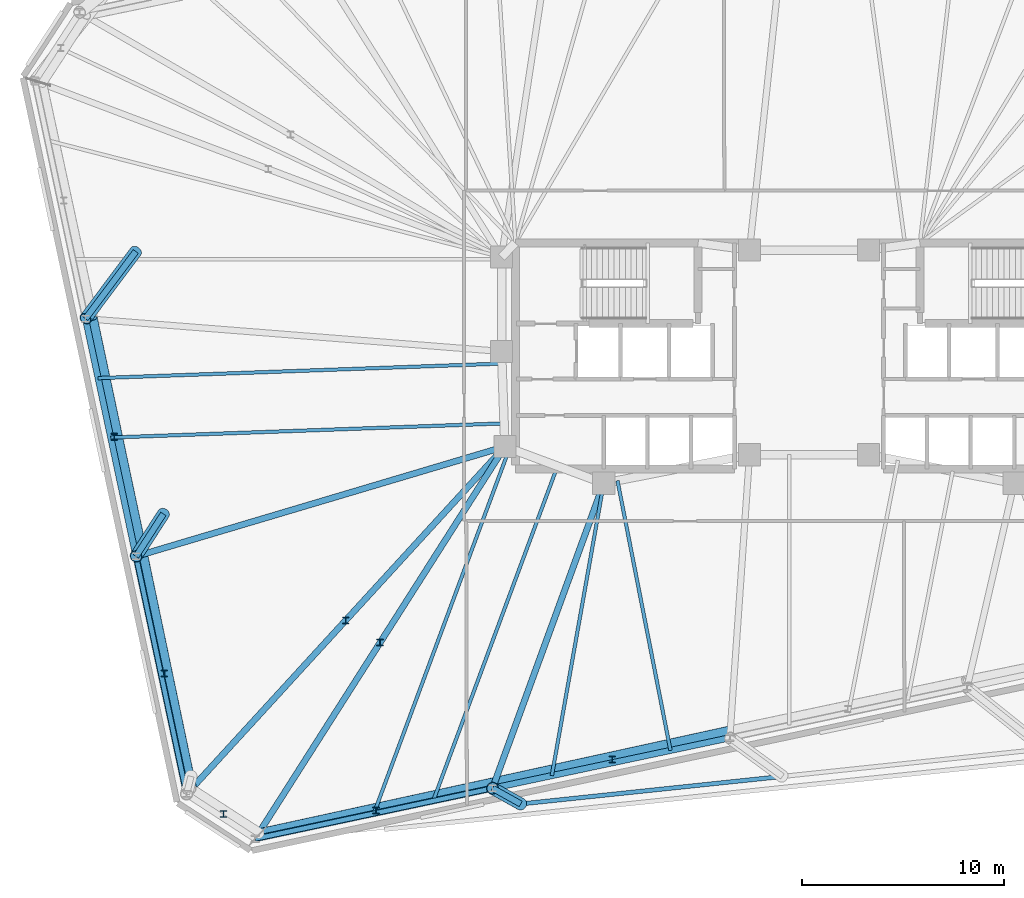
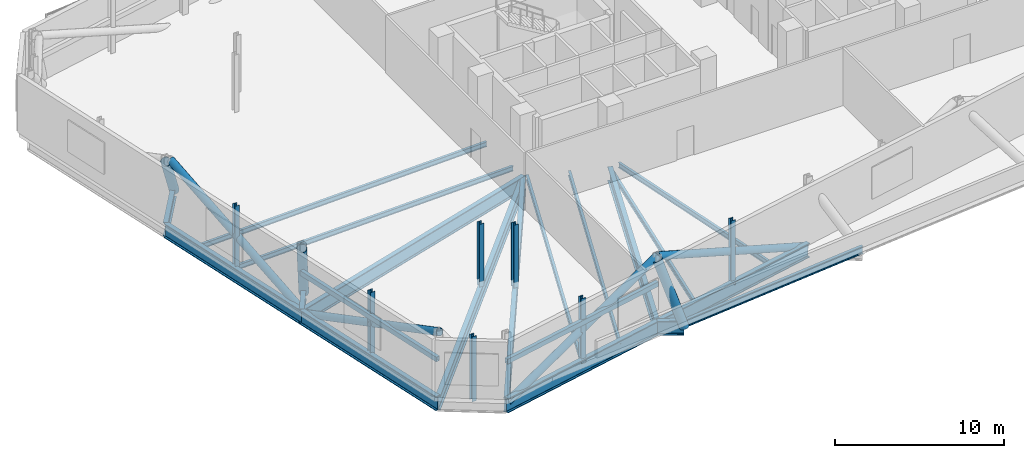
# One storey, part 6 of 19: 18 beams, 16 members.
"""IFC4 building model written with IfcOpenShell, lengths in metres."""

from ifc_helpers import new_model, si_unit, direction, frame, origin, origin_2d, place, context, subcontext, project, spatial, hollow_rectangle, hollow_circle, i_section, extrude, material, material_profile, profile_set, type_object, element, save


model = new_model("IFC4")

# Units and contexts
model_context = context("Model", 3, precision=1e-05, world=origin(), true_north=direction((0.0, 1.0)))
body_context = subcontext(model_context, "Body", "Model", "MODEL_VIEW")
ifc_project = project(units=[si_unit("LENGTHUNIT", "METRE"), si_unit("AREAUNIT", "SQUARE_METRE"), si_unit("VOLUMEUNIT", "CUBIC_METRE"), si_unit("PLANEANGLEUNIT", "RADIAN"), si_unit("MASSUNIT", "GRAM", prefix="KILO")], contexts=[model_context])

# Site, building, storey
site_placement = place(None, origin())
site = spatial("IfcSite", under=ifc_project, at=site_placement, CompositionType="ELEMENT")
building_placement = place(site_placement, origin())
building = spatial("IfcBuilding", under=site, at=building_placement, Name="Menara Jurai Vektor", CompositionType="ELEMENT")
storey_placement = place(building_placement, frame((0.0, 0.0, 142.89990234375)))
storey = spatial("IfcBuildingStorey", under=building, at=storey_placement, Name="L36", CompositionType="ELEMENT", Elevation=142.89990234375)

# Beams
ifc_material_1 = material(Name="Steel S355", Category="steel")
ifc_material_profile_1 = material_profile(ifc_material_1, i_section(OverallWidth=0.2109375, OverallDepth=0.5390625, WebThickness=0.011962890625, FlangeThickness=0.01904296875, FilletRadius=0.012939453125, at=origin_2d()), Name="UKB 533x210x109")
ifc_profile_set_1 = profile_set([ifc_material_profile_1], Name="Steel S355")
beam_type_1 = type_object("IfcBeamType", Name="STR-BM-533", PredefinedType="BEAM", material=ifc_profile_set_1)
beam_1_placement = place(storey_placement, frame((-14.296630859375, -22.221923828125, -0.67431640625), z_axis=(0.994523580592, 0.104512428191, 0.0), x_axis=(-0.104512428191, 0.994523580592, 0.0)))
element("IfcBeam", 1, at=beam_1_placement, inside=storey, type_object=beam_type_1, Name="Step Terrace Edge Beam L36-02", PredefinedType="BEAM", context=body_context, shape_type="SweptSolid", body=[
    extrude(i_section(OverallWidth=0.2109375, OverallDepth=0.5390625, WebThickness=0.011962890625, FlangeThickness=0.01904296875, FilletRadius=0.012939453125, at=origin_2d()), origin(), (0.0, 0.0, 1.0), 13.05126953125),
])
ifc_material_2 = material(Name="Steel S460", Category="steel")
ifc_material_profile_2 = material_profile(ifc_material_2, i_section(OverallWidth=0.30908203125, OverallDepth=1.035888671875, WebThickness=0.030029296875, FlangeThickness=0.053955078125, FilletRadius=0.030029296875, at=origin_2d()), Name="UKB 1016x305x487")
ifc_profile_set_2 = profile_set([ifc_material_profile_2], Name="Steel S460")
beam_type_2 = type_object("IfcBeamType", Name="STR-BM-TR1016", PredefinedType="BEAM", material=ifc_profile_set_2)
beam_2_placement = place(storey_placement, frame((-27.46484375, -23.94580078125, -0.9228515625), z_axis=(0.978147039247, 0.207914332389, 0.0), x_axis=(-0.207914332389, 0.978147039247, 0.0)))
element("IfcBeam", 2, at=beam_2_placement, inside=storey, type_object=beam_type_2, Name="Belt Truss Bottom Chord L36-01", PredefinedType="BEAM", context=body_context, shape_type="SweptSolid", body=[
    extrude(i_section(OverallWidth=0.30908203125, OverallDepth=1.035888671875, WebThickness=0.030029296875, FlangeThickness=0.053955078125, FilletRadius=0.030029296875, at=origin_2d()), origin(), (0.0, 0.0, 1.0), 12.03125),
])
beam_3_placement = place(storey_placement, frame((-27.46484375, -23.94580078125, -0.9228515625), z_axis=(0.537189280991, 0.843461721946, 0.0), x_axis=(-0.843461721946, 0.537189280991, 0.0)))
element("IfcBeam", 3, at=beam_3_placement, inside=storey, type_object=beam_type_2, Name="Outrigger Transfer Girder L36-S1", PredefinedType="BEAM", context=body_context, shape_type="SweptSolid", body=[
    extrude(i_section(OverallWidth=0.30908203125, OverallDepth=1.035888671875, WebThickness=0.030029296875, FlangeThickness=0.053955078125, FilletRadius=0.030029296875, at=origin_2d()), origin(), (0.0, 0.0, 1.0), 23.0546875),
])
beam_4_placement = place(storey_placement, frame((-15.696533203125, -21.4443359375, -0.9228515625), z_axis=(0.97814616202, 0.207918459318, 0.0), x_axis=(-0.207918459318, 0.97814616202, 0.0)))
element("IfcBeam", 4, at=beam_4_placement, inside=storey, type_object=beam_type_2, Name="Belt Truss Bottom Chord L36-02", PredefinedType="BEAM", context=body_context, shape_type="SweptSolid", body=[
    extrude(i_section(OverallWidth=0.30908203125, OverallDepth=1.035888671875, WebThickness=0.030029296875, FlangeThickness=0.053955078125, FilletRadius=0.030029296875, at=origin_2d()), origin(), (0.0, 0.0, 1.0), 12.031005859375),
])
beam_5_placement = place(storey_placement, frame((-14.296630859375, -22.221923828125, -0.9228515625), z_axis=(-0.874193230762, 0.485578207181, 0.0), x_axis=(-0.485578207181, -0.874193230762, 0.0)))
element("IfcBeam", 5, at=beam_5_placement, inside=storey, type_object=beam_type_2, Name="Cantilever Transfer Girder L36-S2", PredefinedType="BEAM", context=body_context, shape_type="SweptSolid", body=[
    extrude(i_section(OverallWidth=0.30908203125, OverallDepth=1.035888671875, WebThickness=0.030029296875, FlangeThickness=0.053955078125, FilletRadius=0.030029296875, at=origin_2d()), origin(), (0.0, 0.0, 1.0), 1.601318359375),
])
beam_6_placement = place(storey_placement, frame((-15.696533203125, -21.4443359375, -0.9228515625), z_axis=(0.342668294367, 0.939456459893, 0.0), x_axis=(-0.939456459893, 0.342668294367, 0.0)))
element("IfcBeam", 6, at=beam_6_placement, inside=storey, type_object=beam_type_2, Name="Outrigger Transfer Girder L36-S2", PredefinedType="BEAM", context=body_context, shape_type="SweptSolid", body=[
    extrude(i_section(OverallWidth=0.30908203125, OverallDepth=1.035888671875, WebThickness=0.030029296875, FlangeThickness=0.053955078125, FilletRadius=0.030029296875, at=origin_2d()), origin(), (0.0, 0.0, 1.0), 16.098876953125),
])
beam_7_placement = place(storey_placement, frame((-35.8828125, 1.843505859375, -0.9228515625), z_axis=(0.207906000604, -0.978148810209, 0.0), x_axis=(0.978148810209, 0.207906000604, 0.0)))
element("IfcBeam", 7, at=beam_7_placement, inside=storey, type_object=beam_type_2, Name="Belt Truss Bottom Chord L36-18", PredefinedType="BEAM", context=body_context, shape_type="SweptSolid", body=[
    extrude(i_section(OverallWidth=0.30908203125, OverallDepth=1.035888671875, WebThickness=0.030029296875, FlangeThickness=0.053955078125, FilletRadius=0.030029296875, at=origin_2d()), origin(), (0.0, 0.0, 1.0), 12.0517578125),
])
beam_8_placement = place(storey_placement, frame((-33.38818359375, 5.175048828125, -0.9228515625), z_axis=(-0.59938037829, -0.800464341568, 0.0), x_axis=(0.800464341568, -0.59938037829, 0.0)))
element("IfcBeam", 8, at=beam_8_placement, inside=storey, type_object=beam_type_2, Name="Cantilever Transfer Girder L36-W2", PredefinedType="BEAM", context=body_context, shape_type="SweptSolid", body=[
    extrude(i_section(OverallWidth=0.30908203125, OverallDepth=1.035888671875, WebThickness=0.030029296875, FlangeThickness=0.053955078125, FilletRadius=0.030029296875, at=origin_2d()), origin(), (0.0, 0.0, 1.0), 4.162109375),
])
beam_9_placement = place(storey_placement, frame((-33.377197265625, -9.94482421875, -0.9228515625), z_axis=(0.207921262698, -0.978145566119, 0.0), x_axis=(0.978145566119, 0.207921262698, 0.0)))
element("IfcBeam", 9, at=beam_9_placement, inside=storey, type_object=beam_type_2, Name="Belt Truss Bottom Chord L36-19", PredefinedType="BEAM", context=body_context, shape_type="SweptSolid", body=[
    extrude(i_section(OverallWidth=0.30908203125, OverallDepth=1.035888671875, WebThickness=0.030029296875, FlangeThickness=0.053955078125, FilletRadius=0.030029296875, at=origin_2d()), origin(), (0.0, 0.0, 1.0), 12.052001953125),
])
beam_10_placement = place(storey_placement, frame((-32.0205078125, -7.83837890625, -0.9228515625), z_axis=(-0.541476412601, -0.840715941681, 0.0), x_axis=(0.840715941681, -0.541476412601, 0.0)))
element("IfcBeam", 10, at=beam_10_placement, inside=storey, type_object=beam_type_2, Name="Cantilever Transfer Girder L36-W3", PredefinedType="BEAM", context=body_context, shape_type="SweptSolid", body=[
    extrude(i_section(OverallWidth=0.30908203125, OverallDepth=1.035888671875, WebThickness=0.030029296875, FlangeThickness=0.053955078125, FilletRadius=0.030029296875, at=origin_2d()), origin(), (0.0, 0.0, 1.0), 2.505615234375),
])
beam_11_placement = place(storey_placement, frame((-33.377197265625, -9.94482421875, -0.9228515625), z_axis=(0.958462775407, 0.285217650505, 0.0), x_axis=(-0.285217650505, 0.958462775407, 0.0)))
element("IfcBeam", 11, at=beam_11_placement, inside=storey, type_object=beam_type_2, Name="Outrigger Transfer Girder L36-W3", PredefinedType="BEAM", context=body_context, shape_type="SweptSolid", body=[
    extrude(i_section(OverallWidth=0.30908203125, OverallDepth=1.035888671875, WebThickness=0.030029296875, FlangeThickness=0.053955078125, FilletRadius=0.030029296875, at=origin_2d()), origin(), (0.0, 0.0, 1.0), 19.090087890625),
])
beam_12_placement = place(storey_placement, frame((-30.871337890625, -21.7333984375, -0.9228515625), z_axis=(0.675584615662, 0.737282460852, 0.0), x_axis=(-0.737282460852, 0.675584615662, 0.0)))
element("IfcBeam", 12, at=beam_12_placement, inside=storey, type_object=beam_type_2, Name="Outrigger Transfer Girder L36-W4", PredefinedType="BEAM", context=body_context, shape_type="SweptSolid", body=[
    extrude(i_section(OverallWidth=0.30908203125, OverallDepth=1.035888671875, WebThickness=0.030029296875, FlangeThickness=0.053955078125, FilletRadius=0.030029296875, at=origin_2d()), origin(), (0.0, 0.0, 1.0), 23.374267578125),
])

# Members
ifc_material_profile_3 = material_profile(ifc_material_2, hollow_circle(Radius=0.25390625, WallThickness=0.02001953125, at=origin_2d()), Name="CHS 508x20")
ifc_profile_set_3 = profile_set([ifc_material_profile_3], Name="Steel S460")
member_type_1 = type_object("IfcMemberType", Name="STR-BR-508", PredefinedType="BRACE", material=ifc_profile_set_3)
member_1_placement = place(storey_placement, frame((-27.232421875, -23.697509765625, -0.9228515625), z_axis=(0.903857161303, 0.197105745735, 0.379725633793), x_axis=(-0.21306445377, 0.977038145898, 0.0)))
element("IfcMember", 13, at=member_1_placement, inside=storey, type_object=member_type_1, Name="Belt Truss Web Diagonal L36-01", PredefinedType="BRACE", context=body_context, shape_type="SweptSolid", body=[
    extrude(hollow_circle(Radius=0.25390625, WallThickness=0.02001953125, at=origin_2d()), origin(), (0.0, 0.0, 1.0), 12.943603515625),
])
member_2_placement = place(storey_placement, frame((-3.904541015625, -18.603759765625, -0.9228515625), z_axis=(-0.902973818169, -0.197425402415, 0.381656251336), x_axis=(0.213593504535, -0.976922624787, 0.0)))
element("IfcMember", 14, at=member_2_placement, inside=storey, type_object=member_type_1, Name="Belt Truss Web Diagonal L36-02", PredefinedType="BRACE", context=body_context, shape_type="SweptSolid", body=[
    extrude(hollow_circle(Radius=0.25390625, WallThickness=0.02001953125, at=origin_2d()), origin(), (0.0, 0.0, 1.0), 12.878173828125),
])
member_3_placement = place(storey_placement, frame((-33.062744140625, -9.815673828125, -0.9228515625), z_axis=(-0.192228854255, 0.904397117625, 0.380938211818), x_axis=(-0.978149071632, -0.207904770665, 0.0)))
element("IfcMember", 15, at=member_3_placement, inside=storey, type_object=member_type_1, Name="Belt Truss Web Diagonal L36-18", PredefinedType="BRACE", context=body_context, shape_type="SweptSolid", body=[
    extrude(hollow_circle(Radius=0.25390625, WallThickness=0.02001953125, at=origin_2d()), origin(), (0.0, 0.0, 1.0), 12.90234375),
])
member_4_placement = place(storey_placement, frame((-33.062744140625, -9.815673828125, -0.9228515625), z_axis=(0.189537513499, -0.905192315987, 0.380397689339), x_axis=(0.978773567693, 0.204944634441, 0.0)))
element("IfcMember", 16, at=member_4_placement, inside=storey, type_object=member_type_1, Name="Belt Truss Web Diagonal L36-19", PredefinedType="BRACE", context=body_context, shape_type="SweptSolid", body=[
    extrude(hollow_circle(Radius=0.25390625, WallThickness=0.02001953125, at=origin_2d()), origin(), (0.0, 0.0, 1.0), 12.9208984375),
])
ifc_material_profile_4 = material_profile(ifc_material_2, hollow_rectangle(XDim=0.25, YDim=0.35009765625, WallThickness=0.012451171875, at=origin_2d()), Name="RHS 350x250x12.5")
ifc_profile_set_4 = profile_set([ifc_material_profile_4], Name="Steel S460")
member_type_2 = type_object("IfcMemberType", Name="STR-CH-RHS350", PredefinedType="CHORD", material=ifc_profile_set_4)
member_5_placement = place(storey_placement, frame((-27.46484375, -23.94580078125, 2.255126953125), z_axis=(0.978147039247, 0.207914332389, 0.0), x_axis=(-0.207914332389, 0.978147039247, 0.0)))
element("IfcMember", 17, at=member_5_placement, inside=storey, type_object=member_type_2, Name="Belt Truss Mid Chord L36-01", PredefinedType="CHORD", context=body_context, shape_type="SweptSolid", body=[
    extrude(hollow_rectangle(XDim=0.25, YDim=0.35009765625, WallThickness=0.012451171875, at=origin_2d()), origin(), (0.0, 0.0, 1.0), 12.03125),
])
member_6_placement = place(storey_placement, frame((-33.377197265625, -9.945068359375, 2.255126953125), z_axis=(0.207925382659, -0.978144690343, 0.0), x_axis=(0.978144690343, 0.207925382659, 0.0)))
element("IfcMember", 18, at=member_6_placement, inside=storey, type_object=member_type_2, Name="Belt Truss Mid Chord L36-19", PredefinedType="CHORD", context=body_context, shape_type="SweptSolid", body=[
    extrude(hollow_rectangle(XDim=0.25, YDim=0.35009765625, WallThickness=0.012451171875, at=origin_2d()), origin(), (0.0, 0.0, 1.0), 12.0517578125),
])

# Beams
ifc_material_profile_5 = material_profile(ifc_material_1, i_section(OverallWidth=0.172119140625, OverallDepth=0.35498046875, WebThickness=0.007080078125, FlangeThickness=0.011962890625, FilletRadius=0.010009765625, at=origin_2d()), Name="UKB 356x171x51")
ifc_profile_set_5 = profile_set([ifc_material_profile_5], Name="Steel S355")
beam_type_3 = type_object("IfcBeamType", Name="STR-JS-356", PredefinedType="JOIST", material=ifc_profile_set_5)
beam_13_placement = place(storey_placement, frame((-21.580810546875, -22.695068359375, -0.58251953125), z_axis=(0.348190019635, 0.937423975705, 0.0), x_axis=(-0.937423975705, 0.348190019635, 0.0)))
element("IfcBeam", 19, at=beam_13_placement, inside=storey, type_object=beam_type_3, Name="Radial Secondary Floor Joist L36-JS01", PredefinedType="JOIST", context=body_context, shape_type="SweptSolid", body=[
    extrude(i_section(OverallWidth=0.172119140625, OverallDepth=0.35498046875, WebThickness=0.007080078125, FlangeThickness=0.011962890625, FilletRadius=0.010009765625, at=origin_2d()), origin(), (0.0, 0.0, 1.0), 19.320068359375),
])
beam_14_placement = place(storey_placement, frame((-18.638671875, -22.069580078125, -0.58251953125), z_axis=(0.348193798412, 0.937422572135, 0.0), x_axis=(-0.937422572135, 0.348193798412, 0.0)))
element("IfcBeam", 20, at=beam_14_placement, inside=storey, type_object=beam_type_3, Name="Radial Secondary Floor Joist L36-JS02", PredefinedType="JOIST", context=body_context, shape_type="SweptSolid", body=[
    extrude(i_section(OverallWidth=0.172119140625, OverallDepth=0.35498046875, WebThickness=0.007080078125, FlangeThickness=0.011962890625, FilletRadius=0.010009765625, at=origin_2d()), origin(), (0.0, 0.0, 1.0), 17.709228515625),
])
beam_15_placement = place(storey_placement, frame((-12.75439453125, -20.819091796875, -0.58251953125), z_axis=(0.174826548521, 0.984599247375, 0.0), x_axis=(-0.984599247375, 0.174826548521, 0.0)))
element("IfcBeam", 21, at=beam_15_placement, inside=storey, type_object=beam_type_3, Name="Radial Secondary Floor Joist L36-JS03", PredefinedType="JOIST", context=body_context, shape_type="SweptSolid", body=[
    extrude(i_section(OverallWidth=0.172119140625, OverallDepth=0.35498046875, WebThickness=0.007080078125, FlangeThickness=0.011962890625, FilletRadius=0.010009765625, at=origin_2d()), origin(), (0.0, 0.0, 1.0), 14.725830078125),
])
beam_16_placement = place(storey_placement, frame((-6.870361328125, -19.568359375, -0.58251953125), z_axis=(-0.19273083746, 0.981251662058, 0.0), x_axis=(-0.981251662058, -0.19273083746, 0.0)))
element("IfcBeam", 22, at=beam_16_placement, inside=storey, type_object=beam_type_3, Name="Radial Secondary Floor Joist L36-JS04", PredefinedType="JOIST", context=body_context, shape_type="SweptSolid", body=[
    extrude(i_section(OverallWidth=0.172119140625, OverallDepth=0.35498046875, WebThickness=0.007080078125, FlangeThickness=0.011962890625, FilletRadius=0.010009765625, at=origin_2d()), origin(), (0.0, 0.0, 1.0), 13.6376953125),
])
beam_17_placement = place(storey_placement, frame((-35.25634765625, -1.103515625, -0.58251953125), z_axis=(0.999351866858, 0.035997863919, 0.0), x_axis=(-0.035997863919, 0.999351866858, 0.0)))
element("IfcBeam", 23, at=beam_17_placement, inside=storey, type_object=beam_type_3, Name="Radial Secondary Floor Joist L36-JS31", PredefinedType="JOIST", context=body_context, shape_type="SweptSolid", body=[
    extrude(i_section(OverallWidth=0.172119140625, OverallDepth=0.35498046875, WebThickness=0.007080078125, FlangeThickness=0.011962890625, FilletRadius=0.010009765625, at=origin_2d()), origin(), (0.0, 0.0, 1.0), 20.041015625),
])
beam_18_placement = place(storey_placement, frame((-34.6298828125, -4.05078125, -0.58251953125), z_axis=(0.999352006705, 0.035993981369, 0.0), x_axis=(-0.035993981369, 0.999352006705, 0.0)))
element("IfcBeam", 24, at=beam_18_placement, inside=storey, type_object=beam_type_3, Name="Radial Secondary Floor Joist L36-JS32", PredefinedType="JOIST", context=body_context, shape_type="SweptSolid", body=[
    extrude(i_section(OverallWidth=0.172119140625, OverallDepth=0.35498046875, WebThickness=0.007080078125, FlangeThickness=0.011962890625, FilletRadius=0.010009765625, at=origin_2d()), origin(), (0.0, 0.0, 1.0), 19.52099609375),
])

# Members
ifc_material_profile_6 = material_profile(ifc_material_2, i_section(OverallWidth=0.31103515625, OverallDepth=0.326904296875, WebThickness=0.01611328125, FlangeThickness=0.02490234375, FilletRadius=0.014892578125, at=origin_2d()), Name="UKC 305x305x158")
ifc_profile_set_6 = profile_set([ifc_material_profile_6], Name="Steel S460")
member_type_3 = type_object("IfcMemberType", Name="STR-POST-305", PredefinedType="POST", material=ifc_profile_set_6)
member_7_placement = place(storey_placement, frame((-21.2724609375, -14.222900390625, -0.40478515625), z_axis=(0.0, 0.0, 1.0), x_axis=(1.0, 0.0, 0.0)))
element("IfcMember", 25, at=member_7_placement, inside=storey, type_object=member_type_3, Name="Girder Hanger L36-S1", PredefinedType="POST", context=body_context, shape_type="SweptSolid", body=[
    extrude(i_section(OverallWidth=0.31103515625, OverallDepth=0.326904296875, WebThickness=0.01611328125, FlangeThickness=0.02490234375, FilletRadius=0.014892578125, at=origin_2d()), origin(), (0.0, 0.0, 1.0), 4.554931640625),
])
for number, where, z_axis, x_axis, name in (
    (26, (-21.472412109375, -22.55126953125, -0.7548828125), (0.0, 0.0, 1.0), (1.0, 0.0, 0.0), "Belt Truss Vertical Web Post L36-01"),
    (27, (-9.757080078125, -20.022216796875, -0.7548828125), (0.0, 0.0, 1.0), (1.0, 0.0, 0.0), "Belt Truss Vertical Web Post L36-02"),
    (28, (-34.453857421875, -4.01318359375, -0.7548828125), (0.0, 0.0, 1.0), (1.0, 0.0, 0.0), "Belt Truss Vertical Web Post L36-18"),
    (29, (-31.9716796875, -15.74365234375, -0.7548828125), (0.0, 0.0, 1.0), (1.0, 0.0, 0.0), "Belt Truss Vertical Web Post L36-19"),
):
    element("IfcMember", number, at=place(storey_placement, frame(where, z_axis=z_axis, x_axis=x_axis)), inside=storey, type_object=member_type_3, Name=name, PredefinedType="POST", context=body_context, shape_type="SweptSolid", body=[
        extrude(i_section(OverallWidth=0.31103515625, OverallDepth=0.326904296875, WebThickness=0.01611328125, FlangeThickness=0.02490234375, FilletRadius=0.014892578125, at=origin_2d()), origin(), (0.0, 0.0, 1.0), 4.705078125),
    ])
member_8_placement = place(storey_placement, frame((-22.9755859375, -13.11669921875, -0.40478515625), z_axis=(0.0, 0.0, 1.0), x_axis=(1.0, 0.0, 0.0)))
element("IfcMember", 30, at=member_8_placement, inside=storey, type_object=member_type_3, Name="Girder Hanger L36-W4", PredefinedType="POST", context=body_context, shape_type="SweptSolid", body=[
    extrude(i_section(OverallWidth=0.31103515625, OverallDepth=0.326904296875, WebThickness=0.01611328125, FlangeThickness=0.02490234375, FilletRadius=0.014892578125, at=origin_2d()), origin(), (0.0, 0.0, 1.0), 4.554931640625),
])
member_9_placement = place(storey_placement, frame((-29.0380859375, -22.715087890625, -0.7548828125), z_axis=(0.0, 0.0, 1.0), x_axis=(1.0, 0.0, 0.0)))
element("IfcMember", 31, at=member_9_placement, inside=storey, type_object=member_type_3, Name="Belt Truss Vertical Web Post L36-20", PredefinedType="POST", context=body_context, shape_type="SweptSolid", body=[
    extrude(i_section(OverallWidth=0.31103515625, OverallDepth=0.326904296875, WebThickness=0.01611328125, FlangeThickness=0.02490234375, FilletRadius=0.014892578125, at=origin_2d()), origin(), (0.0, 0.0, 1.0), 4.705078125),
])
ifc_material_profile_7 = material_profile(ifc_material_2, hollow_circle(Radius=0.304931640625, WallThickness=0.02490234375, at=origin_2d()), Name="CHS 610x25")
ifc_profile_set_7 = profile_set([ifc_material_profile_7], Name="Steel S460")
member_type_4 = type_object("IfcMemberType", Name="STR-ST-610", PredefinedType="STRUT", material=ifc_profile_set_7)
member_10_placement = place(storey_placement, frame((-14.296630859375, -22.221923828125, -0.9228515625), z_axis=(-0.270809213354, 0.150423324822, 0.950807653162), x_axis=(-0.485578207181, -0.874193230762, 0.0)))
element("IfcMember", 32, at=member_10_placement, inside=storey, type_object=member_type_4, Name="Transfer Outrigger Strut L36-S2", PredefinedType="STRUT", context=body_context, shape_type="SweptSolid", body=[
    extrude(hollow_circle(Radius=0.304931640625, WallThickness=0.02490234375, at=origin_2d()), origin(), (0.0, 0.0, 1.0), 5.16943359375),
])
member_11_placement = place(storey_placement, frame((-33.388427734375, 5.175048828125, -0.9228515625), z_axis=(-0.387302814131, -0.517288264817, 0.763157507497), x_axis=(0.800492485371, -0.599342790784, 0.0)))
element("IfcMember", 33, at=member_11_placement, inside=storey, type_object=member_type_4, Name="Transfer Outrigger Strut L36-W2", PredefinedType="STRUT", context=body_context, shape_type="SweptSolid", body=[
    extrude(hollow_circle(Radius=0.304931640625, WallThickness=0.02490234375, at=origin_2d()), origin(), (0.0, 0.0, 1.0), 6.4404296875),
])
member_12_placement = place(storey_placement, frame((-32.0205078125, -7.83837890625, -0.9228515625), z_axis=(-0.245914492205, -0.381860023977, 0.890903465372), x_axis=(0.840744507381, -0.541432057888, 0.0)))
element("IfcMember", 34, at=member_12_placement, inside=storey, type_object=member_type_4, Name="Transfer Outrigger Strut L36-W3", PredefinedType="STRUT", context=body_context, shape_type="SweptSolid", body=[
    extrude(hollow_circle(Radius=0.304931640625, WallThickness=0.02490234375, at=origin_2d()), origin(), (0.0, 0.0, 1.0), 5.516845703125),
])

save(model, "model.ifc")
